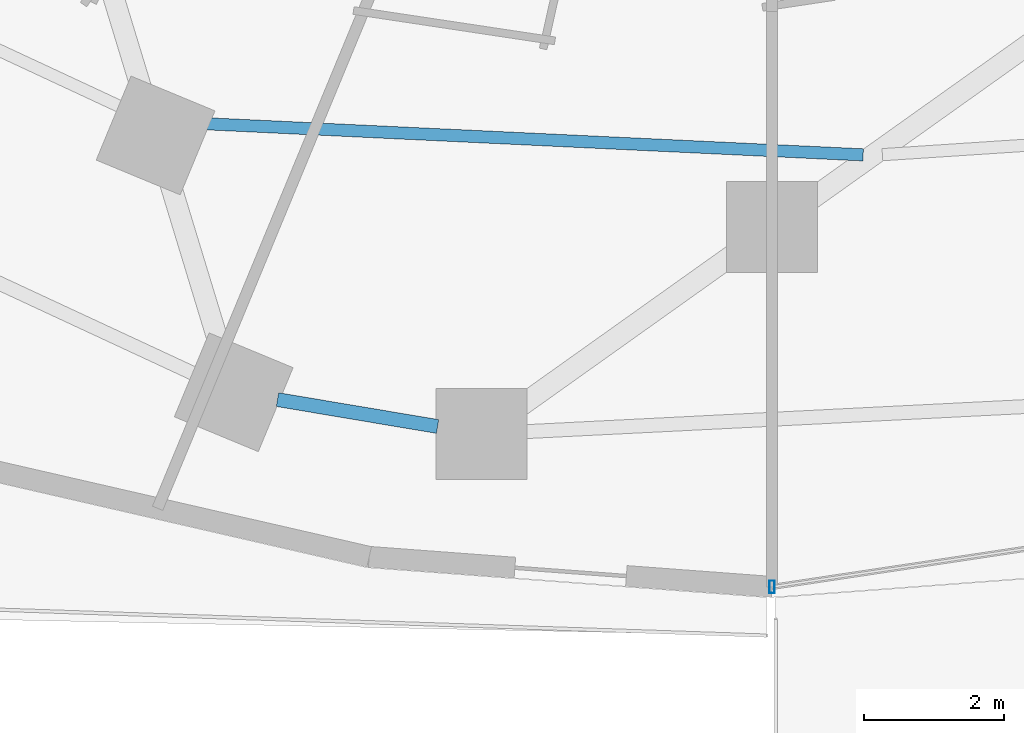
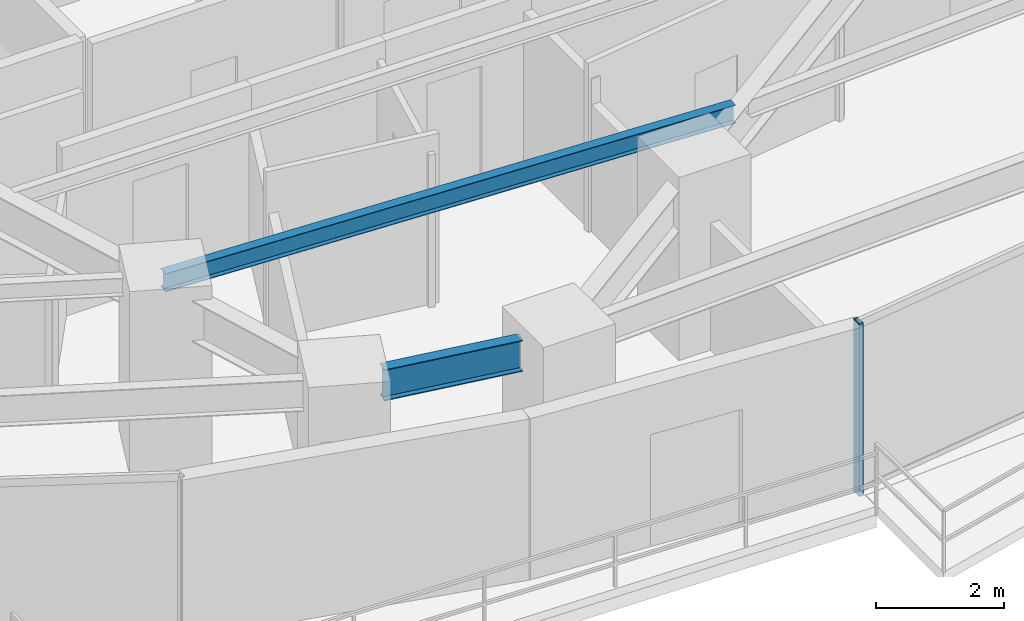
# One storey, part 6 of 36: 2 beams, 1 member, 1 element without a shape of its own.
"""IFC4 building model written with IfcOpenShell, lengths in metres."""

from ifc_helpers import new_model, si_unit, direction, frame, origin, origin_2d, place, context, subcontext, project, spatial, hollow_rectangle, i_section, extrude, material, material_profile, profile_set, type_object, element, aggregate, save


model = new_model("IFC4")

# Units and contexts
model_context = context("Model", 3, precision=1e-05, world=origin(), true_north=direction((0.0, 1.0)))
body_context = subcontext(model_context, "Body", "Model", "MODEL_VIEW")
ifc_project = project(units=[si_unit("LENGTHUNIT", "METRE"), si_unit("AREAUNIT", "SQUARE_METRE"), si_unit("VOLUMEUNIT", "CUBIC_METRE"), si_unit("PLANEANGLEUNIT", "RADIAN"), si_unit("MASSUNIT", "GRAM", prefix="KILO")], contexts=[model_context])

# Site, building, storey
site_placement = place(None, origin())
site = spatial("IfcSite", under=ifc_project, at=site_placement, CompositionType="ELEMENT")
building_placement = place(site_placement, origin())
building = spatial("IfcBuilding", under=site, at=building_placement, Name="Vorneva Point Tower", CompositionType="ELEMENT")
storey_placement = place(building_placement, frame((0.0, 0.0, 24.0)))
storey = spatial("IfcBuildingStorey", under=building, at=storey_placement, Name="L05", CompositionType="ELEMENT", Elevation=24.0)

# Beams
ifc_material_1 = material(Name="Steel S355", Category="steel")
ifc_material_profile_1 = material_profile(ifc_material_1, i_section(OverallWidth=0.174072265625, OverallDepth=0.345947265625, WebThickness=0.006103515625, FlangeThickness=0.009033203125, at=origin_2d()), Name="35B1")
ifc_profile_set_1 = profile_set([ifc_material_profile_1], Name="Steel S355")
beam_type_1 = type_object("IfcBeamType", Name="BM-SEC-35B1", PredefinedType="BEAM", material=ifc_profile_set_1)
beam_1_placement = place(storey_placement, frame((29.254638671875, 10.3076171875, 3.06689453125), z_axis=(0.998880676797, -0.047301094297, 0.0), x_axis=(0.047301094297, 0.998880676797, 0.0)))
element("IfcBeam", 1, at=beam_1_placement, inside=storey, type_object=beam_type_1, Name="L05 Secondary Floor Beam 1.12", PredefinedType="BEAM", context=body_context, shape_type="SweptSolid", body=[
    extrude(i_section(OverallWidth=0.174072265625, OverallDepth=0.345947265625, WebThickness=0.006103515625, FlangeThickness=0.009033203125, at=origin_2d()), origin(), (0.0, 0.0, 1.0), 10.0595703125),
])
ifc_material_profile_2 = material_profile(ifc_material_1, i_section(OverallWidth=0.198974609375, OverallDepth=0.595947265625, WebThickness=0.010009765625, FlangeThickness=0.014892578125, at=origin_2d()), Name="60B1")
ifc_profile_set_2 = profile_set([ifc_material_profile_2], Name="Steel S355")
beam_type_2 = type_object("IfcBeamType", Name="BM-SPN-60B1", PredefinedType="SPANDREL", material=ifc_profile_set_2)
beam_2_placement = place(storey_placement, frame((30.923095703125, 6.330078125, 2.94189453125), z_axis=(0.986171485548, -0.165728093852, 0.0), x_axis=(0.165728093852, 0.986171485548, 0.0)))
element("IfcBeam", 2, at=beam_2_placement, inside=storey, type_object=beam_type_2, Name="L05 Perimeter Spandrel Ring Beam 12", PredefinedType="SPANDREL", context=body_context, shape_type="SweptSolid", body=[
    extrude(i_section(OverallWidth=0.198974609375, OverallDepth=0.595947265625, WebThickness=0.010009765625, FlangeThickness=0.014892578125, at=origin_2d()), origin(), (0.0, 0.0, 1.0), 2.3232421875),
])

# Curtain wall, member
ifc_material_2 = material(Name="Pale anodised aluminium", Category="aluminium")
curtain_wall_type = type_object("IfcCurtainWallType", Name="CW-HTL-SYS", PredefinedType="NOTDEFINED", material=ifc_material_2)
curtain_wall_placement = place(storey_placement, origin())
curtain_wall = element("IfcCurtainWall", 3, at=curtain_wall_placement, inside=storey, type_object=curtain_wall_type, Name="L05 Unitised Curtain Wall CW-L05-R05", PredefinedType="NOTDEFINED")
ifc_material_profile_3 = material_profile(ifc_material_2, hollow_rectangle(XDim=0.074951171875, YDim=0.179931640625, WallThickness=0.00390625, at=origin_2d()), Name="AL-MUL 180x75x4")
ifc_profile_set_3 = profile_set([ifc_material_profile_3], Name="Pale anodised aluminium")
member_type = type_object("IfcMemberType", Name="CW-MUL-180", PredefinedType="MULLION", material=ifc_profile_set_3)
member_placement = place(storey_placement, frame((38.0, 3.64990234375, -0.0400390625), z_axis=(0.0, 0.0, 1.0), x_axis=(1.0, 0.0, 0.0)))
member = element("IfcMember", 4, at=member_placement, type_object=member_type, Name="CW-L05-R05 Mullion 01", PredefinedType="MULLION", context=body_context, shape_type="SweptSolid", body=[
    extrude(hollow_rectangle(XDim=0.074951171875, YDim=0.179931640625, WallThickness=0.00390625, at=origin_2d()), origin(), (0.0, 0.0, 1.0), 3.31005859375),
])
aggregate(curtain_wall, [member])

save(model, "model.ifc")
